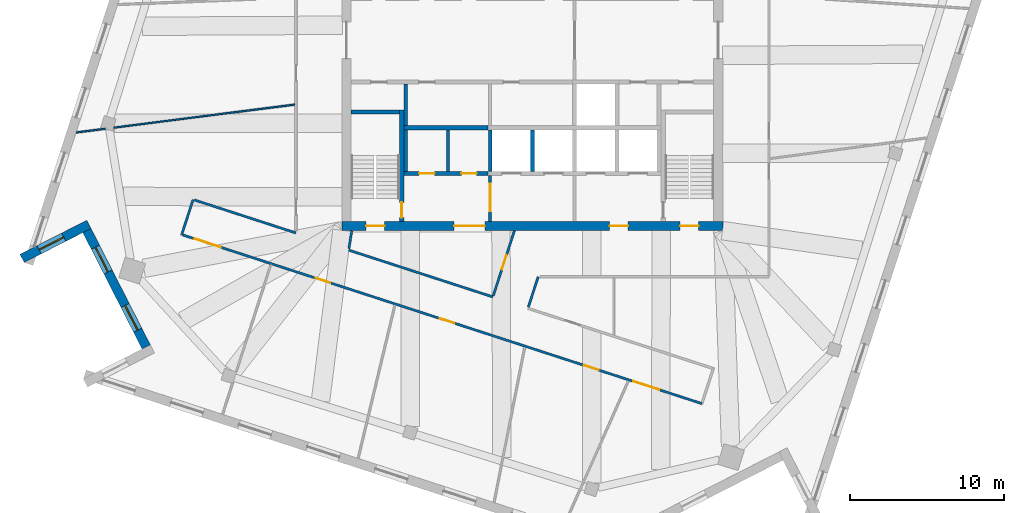
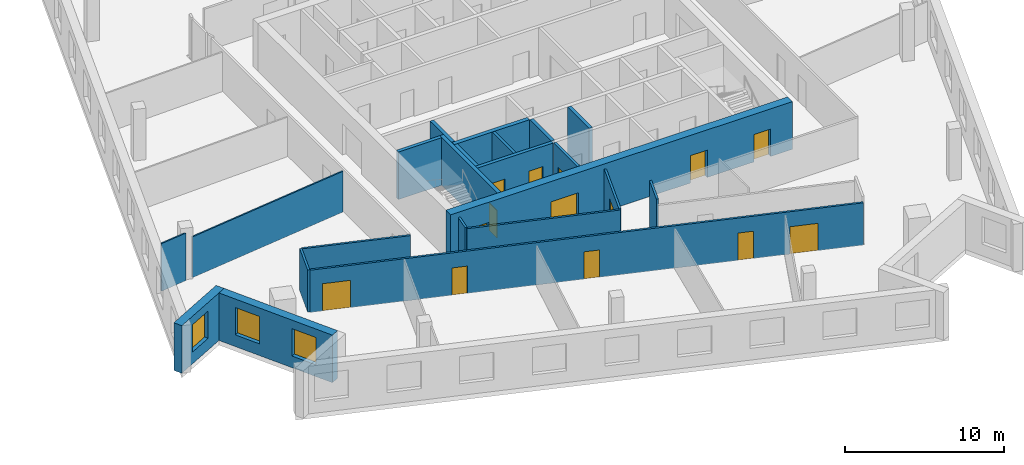
# One storey, part 6 of 13: 22 walls, 14 doors, 3 windows, 17 openings.
"""IFC4 building model written with IfcOpenShell, lengths in metres."""

from ifc_helpers import new_model, si_unit, direction, frame, frame_2d, origin, place, context, subcontext, project, spatial, rectangle, extrude, material, layer, layer_set, type_object, element, fill, save


model = new_model("IFC4")

# Units and contexts
model_context = context("Model", 3, precision=1e-05, world=origin(), true_north=direction((0.0, 1.0)))
body_context = subcontext(model_context, "Body", "Model", "MODEL_VIEW")
ifc_project = project(units=[si_unit("LENGTHUNIT", "METRE"), si_unit("AREAUNIT", "SQUARE_METRE"), si_unit("VOLUMEUNIT", "CUBIC_METRE"), si_unit("PLANEANGLEUNIT", "RADIAN"), si_unit("MASSUNIT", "GRAM", prefix="KILO")], contexts=[model_context])

# Site, building, storey
site_placement = place(None, origin())
site = spatial("IfcSite", under=ifc_project, at=site_placement, CompositionType="ELEMENT")
building_placement = place(site_placement, origin())
building = spatial("IfcBuilding", under=site, at=building_placement, Name="Dilmun Exchange Tower", CompositionType="ELEMENT")
storey_placement = place(building_placement, frame((0.0, 0.0, 316.5)))
storey = spatial("IfcBuildingStorey", under=building, at=storey_placement, Name="L75", CompositionType="ELEMENT", Elevation=316.5)

# Wall, opening, door
ifc_material_1 = material(Name="Concrete C40/50", Category="concrete")
ifc_layer_1 = layer(ifc_material_1, 0.199951171875)
ifc_layer_set_1 = layer_set([ifc_layer_1], Name="Concrete C40/50")
wall_type_1 = type_object("IfcWallType", Name="Core partition wall 200", PredefinedType="PARTITIONING", material=ifc_layer_set_1)
wall_1_placement = place(storey_placement, frame((-2.75, -11.794921875, 0.0), z_axis=(0.0, 0.0, 1.0), x_axis=(0.0, 1.0, 0.0)))
wall_1 = element("IfcWall", 1, at=wall_1_placement, inside=storey, type_object=wall_type_1, Name="L75 core partition wall 01", PredefinedType="PARTITIONING", context=body_context, shape_type="SweptSolid", body=[
    extrude(rectangle(XDim=2.989990234375, YDim=0.199951171875, at=frame_2d((1.4951171875, 0.0))), origin(), (0.0, 0.0, 1.0), 3.64990234375),
])
opening_1_placement = place(wall_1_placement, frame((0.657470703125, 0.0, 0.0)))
opening_1 = element("IfcOpeningElement", 2, at=opening_1_placement, cuts=wall_1, Name="Opening CD5", PredefinedType="OPENING", context=body_context, shape_type="SweptSolid", body=[
    extrude(rectangle(XDim=1.800048828125, YDim=2.10009765625, at=frame_2d((0.89990234375, 1.050048828125))), frame((0.0, 0.10986328125, 0.0), z_axis=(0.0, -1.0, 0.0), x_axis=(1.0, 0.0, 0.0)), (0.0, 0.0, 1.0), 0.219970703125),
])
ifc_material_2 = material(Name="Fire-rated steel door set", Category="steel")
door_type_1 = type_object("IfcDoorType", Name="Stair exit door 1800x2100", OperationType="SINGLE_SWING_LEFT", PredefinedType="DOOR", material=ifc_material_2)
door_1_placement = place(opening_1_placement, origin())
door_1 = element("IfcDoor", 3, at=door_1_placement, inside=storey, type_object=door_type_1, Name="L75 door Service lobby east", OperationType="SINGLE_SWING_LEFT", OverallHeight=2.10009765625, OverallWidth=1.800048828125, PredefinedType="DOOR", context=body_context, shape_type="SweptSolid", body=[
    extrude(rectangle(XDim=1.800048828125, YDim=2.10009765625, at=frame_2d((0.89990234375, 1.050048828125))), frame((0.0, 0.02490234375, 0.0), z_axis=(0.0, -1.0, 0.0), x_axis=(1.0, 0.0, 0.0)), (0.0, 0.0, 1.0), 0.050048828125),
])
fill(opening_1, door_1)

# Wall
wall_2_placement = place(storey_placement, frame((-5.5, -8.544921875, 0.0), z_axis=(0.0, 0.0, 1.0), x_axis=(0.0, 1.0, 0.0)))
element("IfcWall", 4, at=wall_2_placement, inside=storey, type_object=wall_type_1, Name="L75 core partition wall 05", PredefinedType="PARTITIONING", context=body_context, shape_type="SweptSolid", body=[
    extrude(rectangle(XDim=2.68994140625, YDim=0.199951171875, at=frame_2d((1.344970703125, 0.0))), origin(), (0.0, 0.0, 1.0), 3.64990234375),
])

# Wall, openings, doors
ifc_layer_2 = layer(ifc_material_1, 0.25)
ifc_layer_set_2 = layer_set([ifc_layer_2], Name="Concrete C40/50")
wall_type_2 = type_object("IfcWallType", Name="Core partition wall 250", PredefinedType="PARTITIONING", material=ifc_layer_set_2)
wall_3_placement = place(storey_placement, frame((-8.3701171875, -8.675048828125, 0.0), z_axis=(0.0, 0.0, 1.0), x_axis=(1.0, 0.0, 0.0)))
wall_3 = element("IfcWall", 5, at=wall_3_placement, inside=storey, type_object=wall_type_2, Name="L75 core partition wall 03", PredefinedType="PARTITIONING", context=body_context, shape_type="SweptSolid", body=[
    extrude(rectangle(XDim=5.490234375, YDim=0.25, at=frame_2d((2.7451171875, 0.0))), origin(), (0.0, 0.0, 1.0), 3.64990234375),
])
opening_2_placement = place(wall_3_placement, frame((0.9951171875, 0.0, 0.0)))
opening_2 = element("IfcOpeningElement", 6, at=opening_2_placement, cuts=wall_3, Name="Opening CD4", PredefinedType="OPENING", context=body_context, shape_type="SweptSolid", body=[
    extrude(rectangle(XDim=1.0, YDim=2.10009765625, at=frame_2d((0.5, 1.050048828125))), frame((0.0, 0.135009765625, 0.0), z_axis=(0.0, -1.0, 0.0), x_axis=(1.0, 0.0, 0.0)), (0.0, 0.0, 1.0), 0.27001953125),
])
opening_3_placement = place(wall_3_placement, frame((3.7451171875, 0.0, 0.0)))
opening_3 = element("IfcOpeningElement", 7, at=opening_3_placement, cuts=wall_3, Name="Opening CD4", PredefinedType="OPENING", context=body_context, shape_type="SweptSolid", body=[
    extrude(rectangle(XDim=1.0, YDim=2.10009765625, at=frame_2d((0.5, 1.050048828125))), frame((0.0, 0.135009765625, 0.0), z_axis=(0.0, -1.0, 0.0), x_axis=(1.0, 0.0, 0.0)), (0.0, 0.0, 1.0), 0.27001953125),
])
door_type_2 = type_object("IfcDoorType", Name="Core room door 1000x2100", OperationType="SINGLE_SWING_LEFT", PredefinedType="DOOR", material=ifc_material_2)
door_2_placement = place(opening_2_placement, origin())
door_2 = element("IfcDoor", 8, at=door_2_placement, inside=storey, type_object=door_type_2, Name="L75 door Male WC", OperationType="SINGLE_SWING_RIGHT", OverallHeight=2.10009765625, OverallWidth=1.0, PredefinedType="DOOR", context=body_context, shape_type="SweptSolid", body=[
    extrude(rectangle(XDim=1.0, YDim=2.10009765625, at=frame_2d((0.5, 1.050048828125))), frame((0.0, 0.02490234375, 0.0), z_axis=(0.0, -1.0, 0.0), x_axis=(1.0, 0.0, 0.0)), (0.0, 0.0, 1.0), 0.050048828125),
])
fill(opening_2, door_2)
door_3_placement = place(opening_3_placement, origin())
door_3 = element("IfcDoor", 9, at=door_3_placement, inside=storey, type_object=door_type_2, Name="L75 door Female WC", OperationType="SINGLE_SWING_RIGHT", OverallHeight=2.10009765625, OverallWidth=1.0, PredefinedType="DOOR", context=body_context, shape_type="SweptSolid", body=[
    extrude(rectangle(XDim=1.0, YDim=2.10009765625, at=frame_2d((0.5, 1.050048828125))), frame((0.0, 0.02490234375, 0.0), z_axis=(0.0, -1.0, 0.0), x_axis=(1.0, 0.0, 0.0)), (0.0, 0.0, 1.0), 0.050048828125),
])
fill(opening_3, door_3)

# Walls
for number, where, z_axis, x_axis, name in (
    (10, (-8.25, -8.544921875, 0.0), (0.0, 0.0, 1.0), (0.0, 1.0, 0.0), "L75 core partition wall 04"),
    (11, (-8.25, -5.544921875, 0.0), (0.0, 0.0, 1.0), (0.0, 1.0, 0.0), "L75 core partition wall 07"),
):
    element("IfcWall", number, at=place(storey_placement, frame(where, z_axis=z_axis, x_axis=x_axis)), inside=storey, type_object=wall_type_2, Name=name, PredefinedType="PARTITIONING", context=body_context, shape_type="SweptSolid", body=[
        extrude(rectangle(XDim=2.68994140625, YDim=0.25, at=frame_2d((1.344970703125, 0.0))), origin(), (0.0, 0.0, 1.0), 3.64990234375),
    ])
ifc_layer_3 = layer(ifc_material_1, 0.300048828125)
ifc_layer_set_3 = layer_set([ifc_layer_3], Name="Concrete C40/50")
wall_type_3 = type_object("IfcWallType", Name="Core partition wall 300", PredefinedType="PARTITIONING", material=ifc_layer_set_3)
wall_4_placement = place(storey_placement, frame((-8.35009765625, -5.699951171875, 0.0), z_axis=(0.0, 0.0, 1.0), x_axis=(1.0, 0.0, 0.0)))
element("IfcWall", 12, at=wall_4_placement, inside=storey, type_object=wall_type_3, Name="L75 core partition wall 06", PredefinedType="PARTITIONING", context=body_context, shape_type="SweptSolid", body=[
    extrude(rectangle(XDim=5.47021484375, YDim=0.300048828125, at=frame_2d((2.735107421875, 0.0))), origin(), (0.0, 0.0, 1.0), 3.64990234375),
])

# Wall, openings, doors
ifc_material_3 = material(Name="Concrete C50/60", Category="concrete")
ifc_layer_4 = layer(ifc_material_3, 0.60009765625)
ifc_layer_set_4 = layer_set([ifc_layer_4], Name="Concrete C50/60")
wall_type_4 = type_object("IfcWallType", Name="Core shear wall 600 Concrete C50/60", PredefinedType="SHEAR", material=ifc_layer_set_4)
wall_5_placement = place(storey_placement, frame((-12.39990234375, -12.10009765625, 0.0), z_axis=(0.0, 0.0, 1.0), x_axis=(1.0, 0.0, 0.0)))
wall_5 = element("IfcWall", 13, at=wall_5_placement, inside=storey, type_object=wall_type_4, Name="L75 core shear wall S", PredefinedType="SHEAR", context=body_context, shape_type="SweptSolid", body=[
    extrude(rectangle(XDim=24.7998046875, YDim=0.60009765625, at=frame_2d((12.39990234375, 0.0))), origin(), (0.0, 0.0, 1.0), 3.64990234375),
])
opening_4_placement = place(wall_5_placement, frame((7.300048828125, 0.0, 0.0)))
opening_4 = element("IfcOpeningElement", 14, at=opening_4_placement, cuts=wall_5, Name="Opening CD2", PredefinedType="OPENING", context=body_context, shape_type="SweptSolid", body=[
    extrude(rectangle(XDim=2.0, YDim=2.10009765625, at=frame_2d((1.0, 1.050048828125))), frame((0.0, 0.31005859375, 0.0), z_axis=(0.0, -1.0, 0.0), x_axis=(1.0, 0.0, 0.0)), (0.0, 0.0, 1.0), 0.6201171875),
])
opening_5_placement = place(wall_5_placement, frame((17.425048828125, 0.0, 0.0)))
opening_5 = element("IfcOpeningElement", 15, at=opening_5_placement, cuts=wall_5, Name="Opening CD3", PredefinedType="OPENING", context=body_context, shape_type="SweptSolid", body=[
    extrude(rectangle(XDim=1.199951171875, YDim=2.10009765625, at=frame_2d((0.60009765625, 1.050048828125))), frame((0.0, 0.31005859375, 0.0), z_axis=(0.0, -1.0, 0.0), x_axis=(1.0, 0.0, 0.0)), (0.0, 0.0, 1.0), 0.6201171875),
])
opening_6_placement = place(wall_5_placement, frame((1.574951171875, 0.0, 0.0)))
opening_6 = element("IfcOpeningElement", 16, at=opening_6_placement, cuts=wall_5, Name="Opening CD3", PredefinedType="OPENING", context=body_context, shape_type="SweptSolid", body=[
    extrude(rectangle(XDim=1.199951171875, YDim=2.10009765625, at=frame_2d((0.60009765625, 1.050048828125))), frame((0.0, 0.31005859375, 0.0), z_axis=(0.0, -1.0, 0.0), x_axis=(1.0, 0.0, 0.0)), (0.0, 0.0, 1.0), 0.6201171875),
])
opening_7_placement = place(wall_5_placement, frame((22.02490234375, 0.0, 0.0)))
opening_7 = element("IfcOpeningElement", 17, at=opening_7_placement, cuts=wall_5, Name="Opening CD3", PredefinedType="OPENING", context=body_context, shape_type="SweptSolid", body=[
    extrude(rectangle(XDim=1.199951171875, YDim=2.10009765625, at=frame_2d((0.60009765625, 1.050048828125))), frame((0.0, 0.31005859375, 0.0), z_axis=(0.0, -1.0, 0.0), x_axis=(1.0, 0.0, 0.0)), (0.0, 0.0, 1.0), 0.6201171875),
])
door_type_3 = type_object("IfcDoorType", Name="Core service door 2000x2100", OperationType="DOUBLE_DOOR_DOUBLE_SWING", PredefinedType="DOOR", material=ifc_material_2)
door_4_placement = place(opening_4_placement, origin())
door_4 = element("IfcDoor", 18, at=door_4_placement, inside=storey, type_object=door_type_3, Name="L75 door South service lobby", OperationType="SINGLE_SWING_LEFT", OverallHeight=2.10009765625, OverallWidth=2.0, PredefinedType="DOOR", context=body_context, shape_type="SweptSolid", body=[
    extrude(rectangle(XDim=2.0, YDim=2.10009765625, at=frame_2d((1.0, 1.050048828125))), frame((0.0, 0.02490234375, 0.0), z_axis=(0.0, -1.0, 0.0), x_axis=(1.0, 0.0, 0.0)), (0.0, 0.0, 1.0), 0.050048828125),
])
fill(opening_4, door_4)
door_type_4 = type_object("IfcDoorType", Name="Stair exit door 1200x2100", OperationType="SINGLE_SWING_LEFT", PredefinedType="DOOR", material=ifc_material_2)
door_5_placement = place(opening_5_placement, origin())
door_5 = element("IfcDoor", 19, at=door_5_placement, inside=storey, type_object=door_type_4, Name="L75 door Fire-fighting lobby", OperationType="SINGLE_SWING_LEFT", OverallHeight=2.10009765625, OverallWidth=1.199951171875, PredefinedType="DOOR", context=body_context, shape_type="SweptSolid", body=[
    extrude(rectangle(XDim=1.199951171875, YDim=2.10009765625, at=frame_2d((0.60009765625, 1.050048828125))), frame((0.0, 0.02490234375, 0.0), z_axis=(0.0, -1.0, 0.0), x_axis=(1.0, 0.0, 0.0)), (0.0, 0.0, 1.0), 0.050048828125),
])
fill(opening_5, door_5)
door_6_placement = place(opening_6_placement, origin())
door_6 = element("IfcDoor", 20, at=door_6_placement, inside=storey, type_object=door_type_4, Name="L75 door Stair ST2", OperationType="SINGLE_SWING_LEFT", OverallHeight=2.10009765625, OverallWidth=1.199951171875, PredefinedType="DOOR", context=body_context, shape_type="SweptSolid", body=[
    extrude(rectangle(XDim=1.199951171875, YDim=2.10009765625, at=frame_2d((0.60009765625, 1.050048828125))), frame((0.0, 0.02490234375, 0.0), z_axis=(0.0, -1.0, 0.0), x_axis=(1.0, 0.0, 0.0)), (0.0, 0.0, 1.0), 0.050048828125),
])
fill(opening_6, door_6)
door_7_placement = place(opening_7_placement, origin())
door_7 = element("IfcDoor", 21, at=door_7_placement, inside=storey, type_object=door_type_4, Name="L75 door Stair ST3", OperationType="SINGLE_SWING_LEFT", OverallHeight=2.10009765625, OverallWidth=1.199951171875, PredefinedType="DOOR", context=body_context, shape_type="SweptSolid", body=[
    extrude(rectangle(XDim=1.199951171875, YDim=2.10009765625, at=frame_2d((0.60009765625, 1.050048828125))), frame((0.0, 0.02490234375, 0.0), z_axis=(0.0, -1.0, 0.0), x_axis=(1.0, 0.0, 0.0)), (0.0, 0.0, 1.0), 0.050048828125),
])
fill(opening_7, door_7)

# Wall
ifc_material_4 = material(Name="Corridor wall 150")
ifc_layer_5 = layer(ifc_material_4, 0.14990234375)
ifc_layer_set_5 = layer_set([ifc_layer_5], Name="Corridor wall 150")
wall_type_5 = type_object("IfcWallType", Name="Corridor wall 150", PredefinedType="PARTITIONING", material=ifc_layer_set_5)
wall_6_placement = place(storey_placement, frame((-22.833984375, -12.653076171875, 0.0), z_axis=(0.0, 0.0, 1.0), x_axis=(0.309198799084, 0.950997425152, 0.0)))
element("IfcWall", 22, at=wall_6_placement, inside=storey, type_object=wall_type_5, Name="Corridor wall", PredefinedType="PARTITIONING", context=body_context, shape_type="SweptSolid", body=[
    extrude(rectangle(XDim=2.399658203125, YDim=0.14990234375, at=frame_2d((1.19970703125, 0.0))), origin(), (0.0, 0.0, 1.0), 3.25),
])

# Wall, openings, doors
wall_7_placement = place(storey_placement, frame((-22.7626953125, -12.67626953125, 0.0), z_axis=(0.0, 0.0, 1.0), x_axis=(0.951055018443, -0.309021604252, 0.0)))
wall_7 = element("IfcWall", 23, at=wall_7_placement, inside=storey, type_object=wall_type_5, Name="Corridor wall", PredefinedType="PARTITIONING", context=body_context, shape_type="SweptSolid", body=[
    extrude(rectangle(XDim=35.536865234375, YDim=0.14990234375, at=frame_2d((17.7685546875, 0.0))), origin(), (0.0, 0.0, 1.0), 3.25),
])
opening_8_placement = place(wall_7_placement, frame((0.800048828125, 0.0, 0.0)))
opening_8 = element("IfcOpeningElement", 24, at=opening_8_placement, cuts=wall_7, Name="Opening TF75-D01", PredefinedType="OPENING", context=body_context, shape_type="SweptSolid", body=[
    extrude(rectangle(XDim=1.800048828125, YDim=2.10009765625, at=frame_2d((0.89990234375, 1.050048828125))), frame((0.0, 0.0849609375, 0.0), z_axis=(0.0, -1.0, 0.0), x_axis=(1.0, 0.0, 0.0)), (0.0, 0.0, 1.0), 0.169921875),
])
opening_9_placement = place(wall_7_placement, frame((9.09765625, 0.0, 0.0)))
opening_9 = element("IfcOpeningElement", 25, at=opening_9_placement, cuts=wall_7, Name="Opening TF75-D05", PredefinedType="OPENING", context=body_context, shape_type="SweptSolid", body=[
    extrude(rectangle(XDim=1.0, YDim=2.10009765625, at=frame_2d((0.5, 1.050048828125))), frame((0.0, 0.0849609375, 0.0), z_axis=(0.0, -1.0, 0.0), x_axis=(1.0, 0.0, 0.0)), (0.0, 0.0, 1.0), 0.169921875),
])
opening_10_placement = place(wall_7_placement, frame((17.589111328125, 0.0, 0.0)))
opening_10 = element("IfcOpeningElement", 26, at=opening_10_placement, cuts=wall_7, Name="Opening TF75-D08", PredefinedType="OPENING", context=body_context, shape_type="SweptSolid", body=[
    extrude(rectangle(XDim=1.0, YDim=2.10009765625, at=frame_2d((0.5, 1.050048828125))), frame((0.0, 0.0849609375, 0.0), z_axis=(0.0, -1.0, 0.0), x_axis=(1.0, 0.0, 0.0)), (0.0, 0.0, 1.0), 0.169921875),
])
opening_11_placement = place(wall_7_placement, frame((27.47265625, 0.0, 0.0)))
opening_11 = element("IfcOpeningElement", 27, at=opening_11_placement, cuts=wall_7, Name="Opening TF75-D12", PredefinedType="OPENING", context=body_context, shape_type="SweptSolid", body=[
    extrude(rectangle(XDim=1.0, YDim=2.10009765625, at=frame_2d((0.5, 1.050048828125))), frame((0.0, 0.0849609375, 0.0), z_axis=(0.0, -1.0, 0.0), x_axis=(1.0, 0.0, 0.0)), (0.0, 0.0, 1.0), 0.169921875),
])
opening_12_placement = place(wall_7_placement, frame((30.82958984375, 0.0, 0.0)))
opening_12 = element("IfcOpeningElement", 28, at=opening_12_placement, cuts=wall_7, Name="Opening TF75-D16", PredefinedType="OPENING", context=body_context, shape_type="SweptSolid", body=[
    extrude(rectangle(XDim=1.800048828125, YDim=2.10009765625, at=frame_2d((0.89990234375, 1.050048828125))), frame((0.0, 0.0849609375, 0.0), z_axis=(0.0, -1.0, 0.0), x_axis=(1.0, 0.0, 0.0)), (0.0, 0.0, 1.0), 0.169921875),
])
ifc_material_5 = material(Name="Fire door 1000 x 2100")
door_type_5 = type_object("IfcDoorType", Name="Fire door 1000 x 2100", OperationType="NOTDEFINED", PredefinedType="DOOR", material=ifc_material_5)
door_8_placement = place(opening_9_placement, frame((1.0, 0.0, 0.0), z_axis=(0.0, 0.0, 1.0), x_axis=(-1.0, 0.0, 0.0)))
door_8 = element("IfcDoor", 29, at=door_8_placement, inside=storey, type_object=door_type_5, Name="Door TF75-D05", OperationType="SINGLE_SWING_RIGHT", OverallHeight=2.10009765625, OverallWidth=1.0, PredefinedType="DOOR", context=body_context, shape_type="SweptSolid", body=[
    extrude(rectangle(XDim=1.0, YDim=2.10009765625, at=frame_2d((0.5, 1.050048828125))), frame((0.0, 0.02490234375, 0.0), z_axis=(0.0, -1.0, 0.0), x_axis=(1.0, 0.0, 0.0)), (0.0, 0.0, 1.0), 0.050048828125),
])
fill(opening_9, door_8)
door_9_placement = place(opening_10_placement, frame((1.0, 0.0, 0.0), z_axis=(0.0, 0.0, 1.0), x_axis=(-1.0, 0.0, 0.0)))
door_9 = element("IfcDoor", 30, at=door_9_placement, inside=storey, type_object=door_type_5, Name="Door TF75-D08", OperationType="SINGLE_SWING_RIGHT", OverallHeight=2.10009765625, OverallWidth=1.0, PredefinedType="DOOR", context=body_context, shape_type="SweptSolid", body=[
    extrude(rectangle(XDim=1.0, YDim=2.10009765625, at=frame_2d((0.5, 1.050048828125))), frame((0.0, 0.02490234375, 0.0), z_axis=(0.0, -1.0, 0.0), x_axis=(1.0, 0.0, 0.0)), (0.0, 0.0, 1.0), 0.050048828125),
])
fill(opening_10, door_9)
door_10_placement = place(opening_11_placement, frame((1.0, 0.0, 0.0), z_axis=(0.0, 0.0, 1.0), x_axis=(-1.0, 0.0, 0.0)))
door_10 = element("IfcDoor", 31, at=door_10_placement, inside=storey, type_object=door_type_5, Name="Door TF75-D12", OperationType="SINGLE_SWING_RIGHT", OverallHeight=2.10009765625, OverallWidth=1.0, PredefinedType="DOOR", context=body_context, shape_type="SweptSolid", body=[
    extrude(rectangle(XDim=1.0, YDim=2.10009765625, at=frame_2d((0.5, 1.050048828125))), frame((0.0, 0.02490234375, 0.0), z_axis=(0.0, -1.0, 0.0), x_axis=(1.0, 0.0, 0.0)), (0.0, 0.0, 1.0), 0.050048828125),
])
fill(opening_11, door_10)
ifc_material_6 = material(Name="Fire door pair 1800 x 2100")
door_type_6 = type_object("IfcDoorType", Name="Fire door pair 1800 x 2100", OperationType="NOTDEFINED", PredefinedType="DOOR", material=ifc_material_6)
door_11_placement = place(opening_8_placement, frame((1.800048828125, 0.0, 0.0), z_axis=(0.0, 0.0, 1.0), x_axis=(-1.0, 0.0, 0.0)))
door_11 = element("IfcDoor", 32, at=door_11_placement, inside=storey, type_object=door_type_6, Name="Door TF75-D01", OperationType="DOUBLE_DOOR_SINGLE_SWING", OverallHeight=2.10009765625, OverallWidth=1.800048828125, PredefinedType="DOOR", context=body_context, shape_type="SweptSolid", body=[
    extrude(rectangle(XDim=1.800048828125, YDim=2.10009765625, at=frame_2d((0.89990234375, 1.050048828125))), frame((0.0, 0.02490234375, 0.0), z_axis=(0.0, -1.0, 0.0), x_axis=(1.0, 0.0, 0.0)), (0.0, 0.0, 1.0), 0.050048828125),
])
fill(opening_8, door_11)
door_12_placement = place(opening_12_placement, frame((1.800048828125, 0.0, 0.0), z_axis=(0.0, 0.0, 1.0), x_axis=(-1.0, 0.0, 0.0)))
door_12 = element("IfcDoor", 33, at=door_12_placement, inside=storey, type_object=door_type_6, Name="Door TF75-D16", OperationType="DOUBLE_DOOR_SINGLE_SWING", OverallHeight=2.10009765625, OverallWidth=1.800048828125, PredefinedType="DOOR", context=body_context, shape_type="SweptSolid", body=[
    extrude(rectangle(XDim=1.800048828125, YDim=2.10009765625, at=frame_2d((0.89990234375, 1.050048828125))), frame((0.0, 0.02490234375, 0.0), z_axis=(0.0, -1.0, 0.0), x_axis=(1.0, 0.0, 0.0)), (0.0, 0.0, 1.0), 0.050048828125),
])
fill(opening_12, door_12)

# Walls
wall_8_placement = place(storey_placement, frame((-22.020751953125, -10.394287109375, 0.0), z_axis=(0.0, 0.0, 1.0), x_axis=(0.951082252119, -0.308937776427, 0.0)))
element("IfcWall", 34, at=wall_8_placement, inside=storey, type_object=wall_type_5, Name="Corridor wall", PredefinedType="PARTITIONING", context=body_context, shape_type="SweptSolid", body=[
    extrude(rectangle(XDim=6.96142578125, YDim=0.14990234375, at=frame_2d((3.480712890625, 0.0))), origin(), (0.0, 0.0, 1.0), 3.25),
])
wall_9_placement = place(storey_placement, frame((-11.962890625, -13.662109375, 0.0), z_axis=(0.0, 0.0, 1.0), x_axis=(0.951081492471, -0.308940115036, 0.0)))
element("IfcWall", 35, at=wall_9_placement, inside=storey, type_object=wall_type_5, Name="Corridor wall", PredefinedType="PARTITIONING", context=body_context, shape_type="SweptSolid", body=[
    extrude(rectangle(XDim=9.871826171875, YDim=0.14990234375, at=frame_2d((4.93603515625, 0.0))), origin(), (0.0, 0.0, 1.0), 3.25),
])
wall_10_placement = place(storey_placement, frame((-11.94921875, -13.5751953125, 0.0), z_axis=(0.0, 0.0, 1.0), x_axis=(0.156542003239, 0.987671302216, 0.0)))
element("IfcWall", 36, at=wall_10_placement, inside=storey, type_object=wall_type_5, Name="Corridor wall", PredefinedType="PARTITIONING", context=body_context, shape_type="SweptSolid", body=[
    extrude(rectangle(XDim=1.18994140625, YDim=0.14990234375, at=frame_2d((0.594970703125, 0.0))), origin(), (0.0, 0.0, 1.0), 3.25),
])

# Wall, opening, door
wall_11_placement = place(storey_placement, frame((-2.55078125, -16.640625, 0.0), z_axis=(0.0, 0.0, 1.0), x_axis=(0.309172730038, 0.951005900613, 0.0)))
wall_11 = element("IfcWall", 37, at=wall_11_placement, inside=storey, type_object=wall_type_5, Name="Corridor wall", PredefinedType="PARTITIONING", context=body_context, shape_type="SweptSolid", body=[
    extrude(rectangle(XDim=4.459228515625, YDim=0.14990234375, at=frame_2d((2.2294921875, 0.0))), origin(), (0.0, 0.0, 1.0), 3.25),
])
opening_13_placement = place(wall_11_placement, frame((1.800048828125, 0.0, 0.0)))
opening_13 = element("IfcOpeningElement", 38, at=opening_13_placement, cuts=wall_11, Name="Opening TF75-D09", PredefinedType="OPENING", context=body_context, shape_type="SweptSolid", body=[
    extrude(rectangle(XDim=1.0, YDim=2.10009765625, at=frame_2d((0.5, 1.050048828125))), frame((0.0, 0.0849609375, 0.0), z_axis=(0.0, -1.0, 0.0), x_axis=(1.0, 0.0, 0.0)), (0.0, 0.0, 1.0), 0.169921875),
])
door_13_placement = place(opening_13_placement, origin())
door_13 = element("IfcDoor", 39, at=door_13_placement, inside=storey, type_object=door_type_5, Name="Door TF75-D09", OperationType="SINGLE_SWING_LEFT", OverallHeight=2.10009765625, OverallWidth=1.0, PredefinedType="DOOR", context=body_context, shape_type="SweptSolid", body=[
    extrude(rectangle(XDim=1.0, YDim=2.10009765625, at=frame_2d((0.5, 1.050048828125))), frame((0.0, 0.02490234375, 0.0), z_axis=(0.0, -1.0, 0.0), x_axis=(1.0, 0.0, 0.0)), (0.0, 0.0, 1.0), 0.050048828125),
])
fill(opening_13, door_13)

# Walls
wall_12_placement = place(storey_placement, frame((-0.267822265625, -17.3828125, 0.0), z_axis=(0.0, 0.0, 1.0), x_axis=(0.308805378048, 0.951125248581, 0.0)))
element("IfcWall", 40, at=wall_12_placement, inside=storey, type_object=wall_type_5, Name="Corridor wall", PredefinedType="PARTITIONING", context=body_context, shape_type="SweptSolid", body=[
    extrude(rectangle(XDim=2.084716796875, YDim=0.14990234375, at=frame_2d((1.04248046875, 0.0))), origin(), (0.0, 0.0, 1.0), 3.64990234375),
])
ifc_layer_6 = layer(ifc_material_1, 0.25)
ifc_layer_set_6 = layer_set([ifc_layer_6], Name="Concrete C40/50")
wall_type_6 = type_object("IfcWallType", Name="Lift shaft wall 250", PredefinedType="SOLIDWALL", material=ifc_layer_set_6)
for number, where, z_axis, x_axis, name in (
    (41, (-2.75, -8.550048828125, 0.0), (0.0, 0.0, 1.0), (0.0, 1.0, 0.0), "L75 lift shaft divider S22"),
    (42, (0.0, -8.550048828125, 0.0), (0.0, 0.0, 1.0), (0.0, 1.0, 0.0), "L75 lift shaft divider S23"),
):
    element("IfcWall", number, at=place(storey_placement, frame(where, z_axis=z_axis, x_axis=x_axis)), inside=storey, type_object=wall_type_6, Name=name, PredefinedType="SOLIDWALL", context=body_context, shape_type="SweptSolid", body=[
        extrude(rectangle(XDim=2.699951171875, YDim=0.25, at=frame_2d((1.35009765625, 0.0))), origin(), (0.0, 0.0, 1.0), 3.64990234375),
    ])
ifc_material_7 = material(Name="Partition 100")
ifc_layer_7 = layer(ifc_material_7, 0.10009765625)
ifc_layer_set_7 = layer_set([ifc_layer_7], Name="Partition 100")
wall_type_7 = type_object("IfcWallType", Name="Partition 100", PredefinedType="PARTITIONING", material=ifc_layer_set_7)
wall_13_placement = place(storey_placement, frame((-29.707275390625, -6.003662109375, 0.0), z_axis=(0.0, 0.0, 1.0), x_axis=(0.991958310613, 0.126565042593, 0.0)))
element("IfcWall", 43, at=wall_13_placement, inside=storey, type_object=wall_type_7, Name="Partition", PredefinedType="PARTITIONING", context=body_context, shape_type="SweptSolid", body=[
    extrude(rectangle(XDim=1.91162109375, YDim=0.10009765625, at=frame_2d((0.955810546875, 0.0))), origin(), (0.0, 0.0, 1.0), 3.64990234375),
])
wall_14_placement = place(storey_placement, frame((-27.27880859375, -5.69384765625, 0.0), z_axis=(0.0, 0.0, 1.0), x_axis=(0.991957239154, 0.126573439907, 0.0)))
element("IfcWall", 44, at=wall_14_placement, inside=storey, type_object=wall_type_7, Name="Partition", PredefinedType="PARTITIONING", context=body_context, shape_type="SweptSolid", body=[
    extrude(rectangle(XDim=11.893310546875, YDim=0.10009765625, at=frame_2d((5.94677734375, 0.0))), origin(), (0.0, 0.0, 1.0), 3.1298828125),
])

# Wall, opening, window
ifc_material_8 = material(Name="Precast concrete C50/60", Category="concrete")
ifc_layer_8 = layer(ifc_material_8, 0.60009765625)
ifc_layer_set_8 = layer_set([ifc_layer_8], Name="Precast concrete C50/60")
wall_type_8 = type_object("IfcWallType", Name="Precast stone-clad wall 600", PredefinedType="STANDARD", material=ifc_layer_set_8)
wall_15_placement = place(storey_placement, frame((-33.227783203125, -14.20458984375, 0.0), z_axis=(0.0, 0.0, 1.0), x_axis=(0.891013179829, 0.453977437073, 0.0)))
wall_15 = element("IfcWall", 45, at=wall_15_placement, inside=storey, type_object=wall_type_8, Name="Facade wall L75-04", PredefinedType="STANDARD", context=body_context, shape_type="SweptSolid", body=[
    extrude(rectangle(XDim=4.88525390625, YDim=0.60009765625, at=frame_2d((2.442626953125, 0.0))), origin(), (0.0, 0.0, 1.0), 3.64990234375),
])
opening_14_placement = place(wall_15_placement, frame((1.242919921875, 0.0, 0.89990234375)))
opening_14 = element("IfcOpeningElement", 46, at=opening_14_placement, cuts=wall_15, Name="Opening W180-210", PredefinedType="OPENING", context=body_context, shape_type="SweptSolid", body=[
    extrude(rectangle(XDim=1.800048828125, YDim=2.10009765625, at=frame_2d((0.89990234375, 1.050048828125))), frame((0.0, 0.31005859375, 0.0), z_axis=(0.0, -1.0, 0.0), x_axis=(1.0, 0.0, 0.0)), (0.0, 0.0, 1.0), 0.6201171875),
])
ifc_material_9 = material(Name="Clear low-emissivity glass in aluminium frame", Category="aluminium")
window_type = type_object("IfcWindowType", Name="Punched window 1800 x 2100", PartitioningType="DOUBLE_PANEL_VERTICAL", PredefinedType="WINDOW", material=ifc_material_9)
window_1_placement = place(opening_14_placement, origin())
window_1 = element("IfcWindow", 47, at=window_1_placement, inside=storey, type_object=window_type, Name="Window 5.1", OverallHeight=2.10009765625, OverallWidth=1.800048828125, PartitioningType="SINGLE_PANEL", PredefinedType="WINDOW", context=body_context, shape_type="SweptSolid", body=[
    extrude(rectangle(XDim=1.800048828125, YDim=2.10009765625, at=frame_2d((0.89990234375, 1.050048828125))), frame((0.0, 0.030029296875, 0.0), z_axis=(0.0, -1.0, 0.0), x_axis=(1.0, 0.0, 0.0)), (0.0, 0.0, 1.0), 0.06005859375),
])
fill(opening_14, window_1)

# Wall, openings, windows
wall_16_placement = place(storey_placement, frame((-29.006103515625, -12.39013671875, 0.0), z_axis=(0.0, 0.0, 1.0), x_axis=(0.453979132966, -0.891012315758, 0.0)))
wall_16 = element("IfcWall", 48, at=wall_16_placement, inside=storey, type_object=wall_type_8, Name="Facade wall L75-05", PredefinedType="STANDARD", context=body_context, shape_type="SweptSolid", body=[
    extrude(rectangle(XDim=8.500244140625, YDim=0.60009765625, at=frame_2d((4.25, 0.0))), origin(), (0.0, 0.0, 1.0), 3.64990234375),
])
opening_15_placement = place(wall_16_placement, frame((1.22509765625, 0.0, 0.89990234375)))
opening_15 = element("IfcOpeningElement", 49, at=opening_15_placement, cuts=wall_16, Name="Opening W180-210", PredefinedType="OPENING", context=body_context, shape_type="SweptSolid", body=[
    extrude(rectangle(XDim=1.800048828125, YDim=2.10009765625, at=frame_2d((0.89990234375, 1.050048828125))), frame((0.0, 0.31005859375, 0.0), z_axis=(0.0, -1.0, 0.0), x_axis=(1.0, 0.0, 0.0)), (0.0, 0.0, 1.0), 0.6201171875),
])
opening_16_placement = place(wall_16_placement, frame((5.47509765625, 0.0, 0.89990234375)))
opening_16 = element("IfcOpeningElement", 50, at=opening_16_placement, cuts=wall_16, Name="Opening W180-210", PredefinedType="OPENING", context=body_context, shape_type="SweptSolid", body=[
    extrude(rectangle(XDim=1.800048828125, YDim=2.10009765625, at=frame_2d((0.89990234375, 1.050048828125))), frame((0.0, 0.31005859375, 0.0), z_axis=(0.0, -1.0, 0.0), x_axis=(1.0, 0.0, 0.0)), (0.0, 0.0, 1.0), 0.6201171875),
])
window_2_placement = place(opening_15_placement, origin())
window_2 = element("IfcWindow", 51, at=window_2_placement, inside=storey, type_object=window_type, Name="Window 6.1", OverallHeight=2.10009765625, OverallWidth=1.800048828125, PartitioningType="SINGLE_PANEL", PredefinedType="WINDOW", context=body_context, shape_type="SweptSolid", body=[
    extrude(rectangle(XDim=1.800048828125, YDim=2.10009765625, at=frame_2d((0.89990234375, 1.050048828125))), frame((0.0, 0.030029296875, 0.0), z_axis=(0.0, -1.0, 0.0), x_axis=(1.0, 0.0, 0.0)), (0.0, 0.0, 1.0), 0.06005859375),
])
fill(opening_15, window_2)
window_3_placement = place(opening_16_placement, origin())
window_3 = element("IfcWindow", 52, at=window_3_placement, inside=storey, type_object=window_type, Name="Window 6.2", OverallHeight=2.10009765625, OverallWidth=1.800048828125, PartitioningType="SINGLE_PANEL", PredefinedType="WINDOW", context=body_context, shape_type="SweptSolid", body=[
    extrude(rectangle(XDim=1.800048828125, YDim=2.10009765625, at=frame_2d((0.89990234375, 1.050048828125))), frame((0.0, 0.030029296875, 0.0), z_axis=(0.0, -1.0, 0.0), x_axis=(1.0, 0.0, 0.0)), (0.0, 0.0, 1.0), 0.06005859375),
])
fill(opening_16, window_3)

# Wall
ifc_layer_9 = layer(ifc_material_1, 0.25)
ifc_layer_set_9 = layer_set([ifc_layer_9], Name="Concrete C40/50")
wall_type_9 = type_object("IfcWallType", Name="Stair end wall 250", PredefinedType="SOLIDWALL", material=ifc_layer_set_9)
wall_17_placement = place(storey_placement, frame((-8.64990234375, -4.675048828125, 0.0), z_axis=(0.0, 0.0, 1.0), x_axis=(-1.0, 0.0, 0.0)))
element("IfcWall", 53, at=wall_17_placement, inside=storey, type_object=wall_type_9, Name="L75 ST2 far wall", PredefinedType="SOLIDWALL", context=body_context, shape_type="SweptSolid", body=[
    extrude(rectangle(XDim=3.150146484375, YDim=0.25, at=frame_2d((1.5751953125, 0.0))), origin(), (0.0, 0.0, 1.0), 3.64990234375),
])

# Wall, opening, door
ifc_layer_10 = layer(ifc_material_1, 0.27490234375)
ifc_layer_set_10 = layer_set([ifc_layer_10], Name="Concrete C40/50")
wall_type_10 = type_object("IfcWallType", Name="Stair wall 275", PredefinedType="SOLIDWALL", material=ifc_layer_set_10)
wall_18_placement = place(storey_placement, frame((-8.512451171875, -4.550048828125, 0.0), z_axis=(0.0, 0.0, 1.0), x_axis=(0.0, -1.0, 0.0)))
wall_18 = element("IfcWall", 54, at=wall_18_placement, inside=storey, type_object=wall_type_10, Name="L75 ST2 wall to lift block", PredefinedType="SOLIDWALL", context=body_context, shape_type="SweptSolid", body=[
    extrude(rectangle(XDim=7.25, YDim=0.27490234375, at=frame_2d((3.625, 0.0))), origin(), (0.0, 0.0, 1.0), 3.64990234375),
])
opening_17_placement = place(wall_18_placement, frame((6.0, 0.0, 0.0)))
opening_17 = element("IfcOpeningElement", 55, at=opening_17_placement, cuts=wall_18, Name="Opening CD4", PredefinedType="OPENING", context=body_context, shape_type="SweptSolid", body=[
    extrude(rectangle(XDim=1.0, YDim=2.10009765625, at=frame_2d((0.5, 1.050048828125))), frame((0.0, 0.1474609375, 0.0), z_axis=(0.0, -1.0, 0.0), x_axis=(1.0, 0.0, 0.0)), (0.0, 0.0, 1.0), 0.294921875),
])
door_14_placement = place(opening_17_placement, origin())
door_14 = element("IfcDoor", 56, at=door_14_placement, inside=storey, type_object=door_type_2, Name="L75 door ST2 from lobby", OperationType="SINGLE_SWING_LEFT", OverallHeight=2.10009765625, OverallWidth=1.0, PredefinedType="DOOR", context=body_context, shape_type="SweptSolid", body=[
    extrude(rectangle(XDim=1.0, YDim=2.10009765625, at=frame_2d((0.5, 1.050048828125))), frame((0.0, 0.02490234375, 0.0), z_axis=(0.0, -1.0, 0.0), x_axis=(1.0, 0.0, 0.0)), (0.0, 0.0, 1.0), 0.050048828125),
])
fill(opening_17, door_14)

save(model, "model.ifc")
